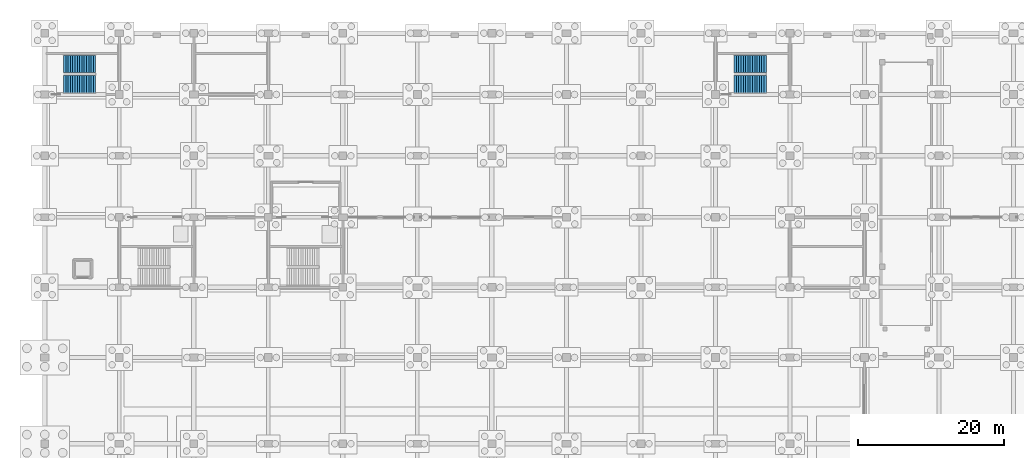
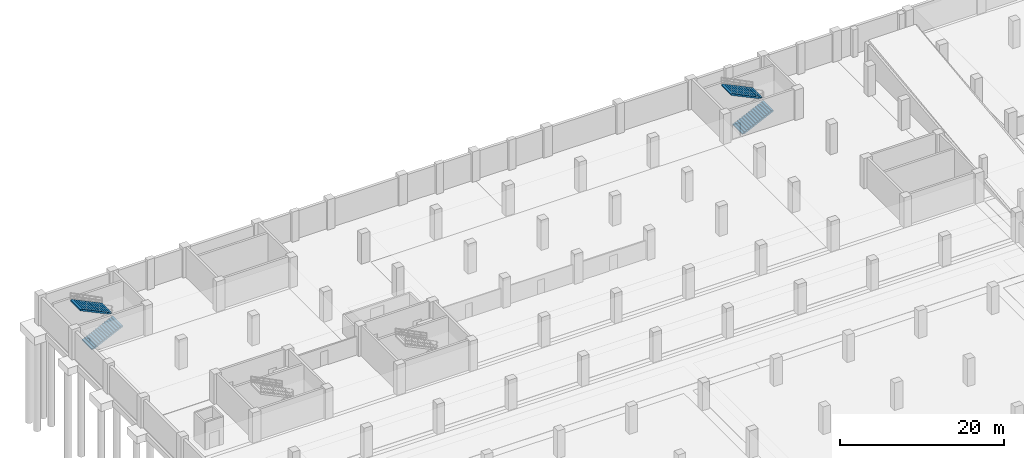
# One storey, part 46 of 52: 4 stair flights, 2 elements without a shape of their own.
"""IFC4 building model written with IfcOpenShell, lengths in metres."""

from ifc_helpers import new_model, si_unit, direction, frame, origin, place, context, subcontext, project, spatial, polyline, outline, extrude, material, type_object, element, aggregate, save


model = new_model("IFC4")

# Units and contexts
model_context = context("Model", 3, precision=1e-05, world=origin(), true_north=direction((0.0, 1.0)))
body_context = subcontext(model_context, "Body", "Model", "MODEL_VIEW")
ifc_project = project(units=[si_unit("LENGTHUNIT", "METRE"), si_unit("AREAUNIT", "SQUARE_METRE"), si_unit("VOLUMEUNIT", "CUBIC_METRE"), si_unit("PLANEANGLEUNIT", "RADIAN"), si_unit("MASSUNIT", "GRAM", prefix="KILO")], contexts=[model_context])

# Site, building, storey
site_placement = place(None, origin())
site = spatial("IfcSite", under=ifc_project, at=site_placement, CompositionType="ELEMENT")
building_placement = place(site_placement, origin())
building = spatial("IfcBuilding", under=site, at=building_placement, Name="Brelvane Convention Centre", CompositionType="ELEMENT")
storey_placement = place(building_placement, frame((0.0, 0.0, -4.5)))
storey = spatial("IfcBuildingStorey", under=building, at=storey_placement, Name="B1", CompositionType="ELEMENT", Elevation=-4.5)

# Stair, stair flights
ifc_material_1 = material(Name="Concrete M40", Category="concrete")
stair_type = type_object("IfcStairType", Name="Exit Stair ST-CORE", PredefinedType="HALF_TURN_STAIR", material=ifc_material_1)
stair_1_placement = place(storey_placement, origin())
stair_1 = element("IfcStair", 1, at=stair_1_placement, inside=storey, type_object=stair_type, Name="Exit Stair ST-12 (B1 to L00)", PredefinedType="HALF_TURN_STAIR")
ifc_material_2 = material(Name="Concrete M40", Category="concrete")
stair_flight_type = type_object("IfcStairFlightType", Name="Stair Flight SF-C15", PredefinedType="STRAIGHT", material=ifc_material_2)
stair_flight_1_placement = place(storey_placement, frame((94.35009765625, 137.030029296875, 0.0), z_axis=(0.0, 0.0, 1.0), x_axis=(1.0, 0.0, 0.0)))
stair_flight_1 = element("IfcStairFlight", 2, at=stair_flight_1_placement, type_object=stair_flight_type, Name="Stair ST-12 B1 Flight 1", NumberOfRisers=15, NumberOfTreads=14, PredefinedType="STRAIGHT", RiserHeight=0.15, TreadLength=0.315, context=body_context, shape_type="SweptSolid", body=[
    extrude(outline(polyline([(0.0, 0.0), (0.0, 0.14990234375), (0.31494140625, 0.14990234375), (0.31494140625, 0.300048828125), (0.6298828125, 0.300048828125), (0.6298828125, 0.449951171875), (0.945068359375, 0.449951171875), (0.945068359375, 0.60009765625), (1.260009765625, 0.60009765625), (1.260009765625, 0.75), (1.574951171875, 0.75), (1.574951171875, 0.89990234375), (1.889892578125, 0.89990234375), (1.889892578125, 1.050048828125), (2.205078125, 1.050048828125), (2.205078125, 1.199951171875), (2.52001953125, 1.199951171875), (2.52001953125, 1.35009765625), (2.8349609375, 1.35009765625), (2.8349609375, 1.5), (3.14990234375, 1.5), (3.14990234375, 1.64990234375), (3.465087890625, 1.64990234375), (3.465087890625, 1.800048828125), (3.780029296875, 1.800048828125), (3.780029296875, 1.949951171875), (4.094970703125, 1.949951171875), (4.094970703125, 2.10009765625), (4.409912109375, 2.10009765625), (4.409912109375, 2.25), (4.409912109375, 1.900634765625), (0.41845703125, 0.0), (0.0, 0.0)])), frame((0.0, 1.18994140625, 0.0), z_axis=(0.0, -1.0, 0.0), x_axis=(1.0, 0.0, 0.0)), (0.0, 0.0, 1.0), 2.3798828125),
])
stair_flight_2_placement = place(storey_placement, frame((98.760009765625, 139.77001953125, 2.25), z_axis=(0.0, 0.0, 1.0), x_axis=(-1.0, 0.0, 0.0)))
stair_flight_2 = element("IfcStairFlight", 3, at=stair_flight_2_placement, type_object=stair_flight_type, Name="Stair ST-12 B1 Flight 2", NumberOfRisers=15, NumberOfTreads=14, PredefinedType="STRAIGHT", RiserHeight=0.15, TreadLength=0.315, context=body_context, shape_type="SweptSolid", body=[
    extrude(outline(polyline([(0.0, 0.0), (0.0, 0.14990234375), (0.31494140625, 0.14990234375), (0.31494140625, 0.300048828125), (0.6298828125, 0.300048828125), (0.6298828125, 0.449951171875), (0.945068359375, 0.449951171875), (0.945068359375, 0.60009765625), (1.260009765625, 0.60009765625), (1.260009765625, 0.75), (1.574951171875, 0.75), (1.574951171875, 0.89990234375), (1.889892578125, 0.89990234375), (1.889892578125, 1.050048828125), (2.205078125, 1.050048828125), (2.205078125, 1.199951171875), (2.52001953125, 1.199951171875), (2.52001953125, 1.35009765625), (2.8349609375, 1.35009765625), (2.8349609375, 1.5), (3.14990234375, 1.5), (3.14990234375, 1.64990234375), (3.465087890625, 1.64990234375), (3.465087890625, 1.800048828125), (3.780029296875, 1.800048828125), (3.780029296875, 1.949951171875), (4.094970703125, 1.949951171875), (4.094970703125, 2.10009765625), (4.409912109375, 2.10009765625), (4.409912109375, 2.25), (4.409912109375, 1.900634765625), (0.41845703125, 0.0), (0.0, 0.0)])), frame((0.0, 1.18994140625, 0.0), z_axis=(0.0, -1.0, 0.0), x_axis=(1.0, 0.0, 0.0)), (0.0, 0.0, 1.0), 2.3798828125),
])
aggregate(stair_1, [stair_flight_1, stair_flight_2])

stair_2_placement = place(storey_placement, origin())
stair_2 = element("IfcStair", 4, at=stair_2_placement, inside=storey, type_object=stair_type, Name="Exit Stair ST-17 (B1 to L00)", PredefinedType="HALF_TURN_STAIR")
stair_flight_3_placement = place(storey_placement, frame((2.550048828125, 137.030029296875, 0.0), z_axis=(0.0, 0.0, 1.0), x_axis=(1.0, 0.0, 0.0)))
stair_flight_3 = element("IfcStairFlight", 5, at=stair_flight_3_placement, type_object=stair_flight_type, Name="Stair ST-17 B1 Flight 1", NumberOfRisers=15, NumberOfTreads=14, PredefinedType="STRAIGHT", RiserHeight=0.15, TreadLength=0.315, context=body_context, shape_type="SweptSolid", body=[
    extrude(outline(polyline([(0.0, 0.0), (0.0, 0.14990234375), (0.31494140625, 0.14990234375), (0.31494140625, 0.300048828125), (0.6298828125, 0.300048828125), (0.6298828125, 0.449951171875), (0.945068359375, 0.449951171875), (0.945068359375, 0.60009765625), (1.260009765625, 0.60009765625), (1.260009765625, 0.75), (1.574951171875, 0.75), (1.574951171875, 0.89990234375), (1.889892578125, 0.89990234375), (1.889892578125, 1.050048828125), (2.205078125, 1.050048828125), (2.205078125, 1.199951171875), (2.52001953125, 1.199951171875), (2.52001953125, 1.35009765625), (2.8349609375, 1.35009765625), (2.8349609375, 1.5), (3.14990234375, 1.5), (3.14990234375, 1.64990234375), (3.465087890625, 1.64990234375), (3.465087890625, 1.800048828125), (3.780029296875, 1.800048828125), (3.780029296875, 1.949951171875), (4.094970703125, 1.949951171875), (4.094970703125, 2.10009765625), (4.409912109375, 2.10009765625), (4.409912109375, 2.25), (4.409912109375, 1.900634765625), (0.41845703125, 0.0), (0.0, 0.0)])), frame((0.0, 1.18994140625, 0.0), z_axis=(0.0, -1.0, 0.0), x_axis=(1.0, 0.0, 0.0)), (0.0, 0.0, 1.0), 2.3798828125),
])
stair_flight_4_placement = place(storey_placement, frame((6.9599609375, 139.77001953125, 2.25), z_axis=(0.0, 0.0, 1.0), x_axis=(-1.0, 0.0, 0.0)))
stair_flight_4 = element("IfcStairFlight", 6, at=stair_flight_4_placement, type_object=stair_flight_type, Name="Stair ST-17 B1 Flight 2", NumberOfRisers=15, NumberOfTreads=14, PredefinedType="STRAIGHT", RiserHeight=0.15, TreadLength=0.315, context=body_context, shape_type="SweptSolid", body=[
    extrude(outline(polyline([(0.0, 0.0), (0.0, 0.14990234375), (0.31494140625, 0.14990234375), (0.31494140625, 0.300048828125), (0.6298828125, 0.300048828125), (0.6298828125, 0.449951171875), (0.945068359375, 0.449951171875), (0.945068359375, 0.60009765625), (1.260009765625, 0.60009765625), (1.260009765625, 0.75), (1.574951171875, 0.75), (1.574951171875, 0.89990234375), (1.889892578125, 0.89990234375), (1.889892578125, 1.050048828125), (2.205078125, 1.050048828125), (2.205078125, 1.199951171875), (2.52001953125, 1.199951171875), (2.52001953125, 1.35009765625), (2.8349609375, 1.35009765625), (2.8349609375, 1.5), (3.14990234375, 1.5), (3.14990234375, 1.64990234375), (3.465087890625, 1.64990234375), (3.465087890625, 1.800048828125), (3.780029296875, 1.800048828125), (3.780029296875, 1.949951171875), (4.094970703125, 1.949951171875), (4.094970703125, 2.10009765625), (4.409912109375, 2.10009765625), (4.409912109375, 2.25), (4.409912109375, 1.900634765625), (0.41845703125, 0.0), (0.0, 0.0)])), frame((0.0, 1.18994140625, 0.0), z_axis=(0.0, -1.0, 0.0), x_axis=(1.0, 0.0, 0.0)), (0.0, 0.0, 1.0), 2.3798828125),
])
aggregate(stair_2, [stair_flight_3, stair_flight_4])

save(model, "model.ifc")
